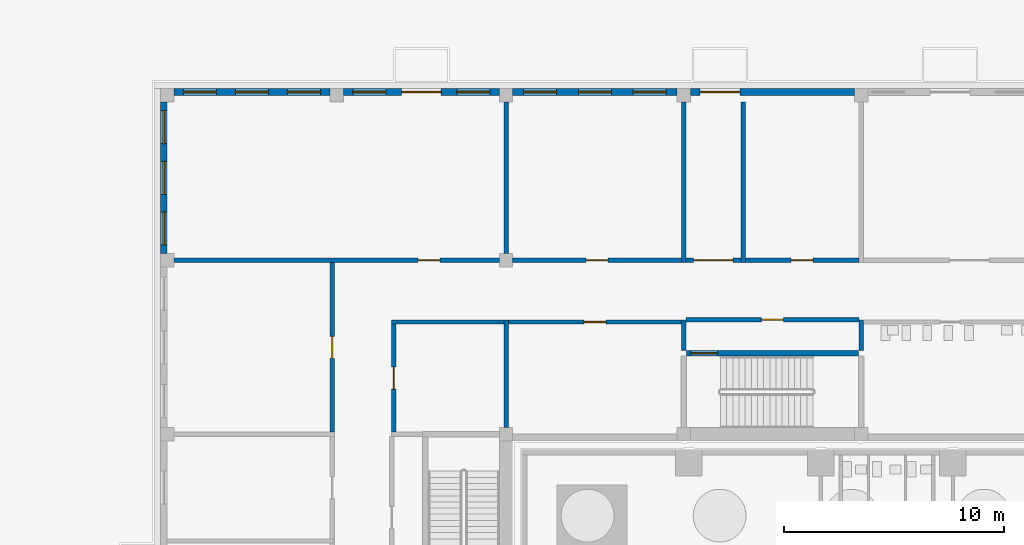
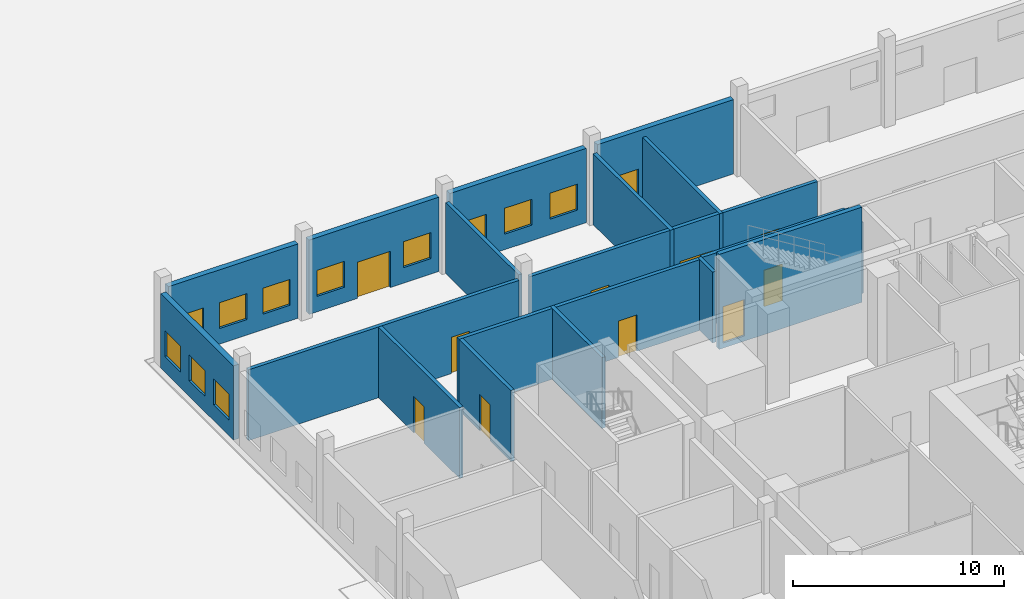
# One storey, part 19 of 33: 21 walls, 11 doors, 11 windows, 22 openings.
"""IFC4 building model written with IfcOpenShell, lengths in metres."""

from ifc_helpers import new_model, si_unit, direction, frame, frame_2d, origin, place, context, subcontext, project, spatial, rectangle, extrude, material, layer, layer_set, type_object, element, fill, save


model = new_model("IFC4")

# Units and contexts
model_context = context("Model", 3, precision=1e-05, world=origin(), true_north=direction((0.0, 1.0)))
body_context = subcontext(model_context, "Body", "Model", "MODEL_VIEW")
ifc_project = project(units=[si_unit("LENGTHUNIT", "METRE"), si_unit("AREAUNIT", "SQUARE_METRE"), si_unit("VOLUMEUNIT", "CUBIC_METRE"), si_unit("PLANEANGLEUNIT", "RADIAN"), si_unit("MASSUNIT", "GRAM", prefix="KILO")], contexts=[model_context])

# Site, building, storey
site_placement = place(None, origin())
site = spatial("IfcSite", under=ifc_project, at=site_placement, CompositionType="ELEMENT")
building_placement = place(site_placement, origin())
building = spatial("IfcBuilding", under=site, at=building_placement, Name="Amberfall Residences", CompositionType="ELEMENT")
storey_placement = place(building_placement, origin())
storey = spatial("IfcBuildingStorey", under=building, at=storey_placement, Name="L00", CompositionType="ELEMENT", Elevation=0.0)

# Wall, openings, windows
ifc_material_1 = material(Name="Aerated block wall")
ifc_layer_1 = layer(ifc_material_1, 0.300048828125)
ifc_layer_set_1 = layer_set([ifc_layer_1], Name="School external wall 300")
wall_type_1 = type_object("IfcWallType", Name="School external wall 300", PredefinedType="SOLIDWALL", material=ifc_layer_set_1)
wall_1_placement = place(storey_placement, frame((35.75, 76.89990234375, 0.0), z_axis=(0.0, 0.0, 1.0), x_axis=(0.0, 1.0, 0.0)))
wall_1 = element("IfcWall", 1, at=wall_1_placement, inside=storey, type_object=wall_type_1, Name="School external wall L00 EW9", PredefinedType="SOLIDWALL", context=body_context, shape_type="SweptSolid", body=[
    extrude(rectangle(XDim=6.900146484375, YDim=0.300048828125, at=frame_2d((3.4501953125, 0.0))), origin(), (0.0, 0.0, 1.0), 4.300048828125),
])
opening_1_placement = place(wall_1_placement, frame((0.39990234375, 0.0, 0.89990234375)))
opening_1 = element("IfcOpeningElement", 2, at=opening_1_placement, cuts=wall_1, Name="Opening SWN1", PredefinedType="OPENING", context=body_context, shape_type="SweptSolid", body=[
    extrude(rectangle(XDim=1.5, YDim=1.5, at=frame_2d((0.75, 0.75))), frame((0.0, 0.159912109375, 0.0), z_axis=(0.0, -1.0, 0.0), x_axis=(1.0, 0.0, 0.0)), (0.0, 0.0, 1.0), 0.320068359375),
])
opening_2_placement = place(wall_1_placement, frame((2.699951171875, 0.0, 0.89990234375)))
opening_2 = element("IfcOpeningElement", 3, at=opening_2_placement, cuts=wall_1, Name="Opening SWN1", PredefinedType="OPENING", context=body_context, shape_type="SweptSolid", body=[
    extrude(rectangle(XDim=1.5, YDim=1.5, at=frame_2d((0.75, 0.75))), frame((0.0, 0.159912109375, 0.0), z_axis=(0.0, -1.0, 0.0), x_axis=(1.0, 0.0, 0.0)), (0.0, 0.0, 1.0), 0.320068359375),
])
opening_3_placement = place(wall_1_placement, frame((5.0, 0.0, 0.89990234375)))
opening_3 = element("IfcOpeningElement", 4, at=opening_3_placement, cuts=wall_1, Name="Opening SWN1", PredefinedType="OPENING", context=body_context, shape_type="SweptSolid", body=[
    extrude(rectangle(XDim=1.5, YDim=1.5, at=frame_2d((0.75, 0.75))), frame((0.0, 0.159912109375, 0.0), z_axis=(0.0, -1.0, 0.0), x_axis=(1.0, 0.0, 0.0)), (0.0, 0.0, 1.0), 0.320068359375),
])
ifc_material_2 = material(Name="Aluminium window", Category="aluminium")
window_type = type_object("IfcWindowType", Name="School window 1500 x 1500", PartitioningType="DOUBLE_PANEL_HORIZONTAL", PredefinedType="WINDOW", material=ifc_material_2)
window_1_placement = place(opening_1_placement, origin())
window_1 = element("IfcWindow", 5, at=window_1_placement, inside=storey, type_object=window_type, Name="School window L00 EW9-1", OverallHeight=1.5, OverallWidth=1.5, PartitioningType="DOUBLE_PANEL_HORIZONTAL", PredefinedType="WINDOW", context=body_context, shape_type="SweptSolid", body=[
    extrude(rectangle(XDim=1.5, YDim=1.5, at=frame_2d((0.75, 0.75))), frame((0.0, 0.030029296875, 0.0), z_axis=(0.0, -1.0, 0.0), x_axis=(1.0, 0.0, 0.0)), (0.0, 0.0, 1.0), 0.06005859375),
])
fill(opening_1, window_1)
window_2_placement = place(opening_2_placement, origin())
window_2 = element("IfcWindow", 6, at=window_2_placement, inside=storey, type_object=window_type, Name="School window L00 EW9-2", OverallHeight=1.5, OverallWidth=1.5, PartitioningType="DOUBLE_PANEL_HORIZONTAL", PredefinedType="WINDOW", context=body_context, shape_type="SweptSolid", body=[
    extrude(rectangle(XDim=1.5, YDim=1.5, at=frame_2d((0.75, 0.75))), frame((0.0, 0.030029296875, 0.0), z_axis=(0.0, -1.0, 0.0), x_axis=(1.0, 0.0, 0.0)), (0.0, 0.0, 1.0), 0.06005859375),
])
fill(opening_2, window_2)
window_3_placement = place(opening_3_placement, origin())
window_3 = element("IfcWindow", 7, at=window_3_placement, inside=storey, type_object=window_type, Name="School window L00 EW9-3", OverallHeight=1.5, OverallWidth=1.5, PartitioningType="DOUBLE_PANEL_HORIZONTAL", PredefinedType="WINDOW", context=body_context, shape_type="SweptSolid", body=[
    extrude(rectangle(XDim=1.5, YDim=1.5, at=frame_2d((0.75, 0.75))), frame((0.0, 0.030029296875, 0.0), z_axis=(0.0, -1.0, 0.0), x_axis=(1.0, 0.0, 0.0)), (0.0, 0.0, 1.0), 0.06005859375),
])
fill(opening_3, window_3)

wall_2_placement = place(storey_placement, frame((36.199951171875, 84.25, 0.0), z_axis=(0.0, 0.0, 1.0), x_axis=(1.0, 0.0, 0.0)))
wall_2 = element("IfcWall", 8, at=wall_2_placement, inside=storey, type_object=wall_type_1, Name="School external wall L00 EN0", PredefinedType="SOLIDWALL", context=body_context, shape_type="SweptSolid", body=[
    extrude(rectangle(XDim=7.10009765625, YDim=0.300048828125, at=frame_2d((3.550048828125, 0.0))), origin(), (0.0, 0.0, 1.0), 4.300048828125),
])
opening_4_placement = place(wall_2_placement, frame((0.433349609375, 0.0, 0.89990234375)))
opening_4 = element("IfcOpeningElement", 9, at=opening_4_placement, cuts=wall_2, Name="Opening SWN1", PredefinedType="OPENING", context=body_context, shape_type="SweptSolid", body=[
    extrude(rectangle(XDim=1.5, YDim=1.5, at=frame_2d((0.75, 0.75))), frame((0.0, 0.159912109375, 0.0), z_axis=(0.0, -1.0, 0.0), x_axis=(1.0, 0.0, 0.0)), (0.0, 0.0, 1.0), 0.320068359375),
])
opening_5_placement = place(wall_2_placement, frame((2.800048828125, 0.0, 0.89990234375)))
opening_5 = element("IfcOpeningElement", 10, at=opening_5_placement, cuts=wall_2, Name="Opening SWN1", PredefinedType="OPENING", context=body_context, shape_type="SweptSolid", body=[
    extrude(rectangle(XDim=1.5, YDim=1.5, at=frame_2d((0.75, 0.75))), frame((0.0, 0.159912109375, 0.0), z_axis=(0.0, -1.0, 0.0), x_axis=(1.0, 0.0, 0.0)), (0.0, 0.0, 1.0), 0.320068359375),
])
opening_6_placement = place(wall_2_placement, frame((5.166748046875, 0.0, 0.89990234375)))
opening_6 = element("IfcOpeningElement", 11, at=opening_6_placement, cuts=wall_2, Name="Opening SWN1", PredefinedType="OPENING", context=body_context, shape_type="SweptSolid", body=[
    extrude(rectangle(XDim=1.5, YDim=1.5, at=frame_2d((0.75, 0.75))), frame((0.0, 0.159912109375, 0.0), z_axis=(0.0, -1.0, 0.0), x_axis=(1.0, 0.0, 0.0)), (0.0, 0.0, 1.0), 0.320068359375),
])
window_4_placement = place(opening_4_placement, origin())
window_4 = element("IfcWindow", 12, at=window_4_placement, inside=storey, type_object=window_type, Name="School window L00 EN0-1", OverallHeight=1.5, OverallWidth=1.5, PartitioningType="DOUBLE_PANEL_HORIZONTAL", PredefinedType="WINDOW", context=body_context, shape_type="SweptSolid", body=[
    extrude(rectangle(XDim=1.5, YDim=1.5, at=frame_2d((0.75, 0.75))), frame((0.0, 0.030029296875, 0.0), z_axis=(0.0, -1.0, 0.0), x_axis=(1.0, 0.0, 0.0)), (0.0, 0.0, 1.0), 0.06005859375),
])
fill(opening_4, window_4)
window_5_placement = place(opening_5_placement, origin())
window_5 = element("IfcWindow", 13, at=window_5_placement, inside=storey, type_object=window_type, Name="School window L00 EN0-2", OverallHeight=1.5, OverallWidth=1.5, PartitioningType="DOUBLE_PANEL_HORIZONTAL", PredefinedType="WINDOW", context=body_context, shape_type="SweptSolid", body=[
    extrude(rectangle(XDim=1.5, YDim=1.5, at=frame_2d((0.75, 0.75))), frame((0.0, 0.030029296875, 0.0), z_axis=(0.0, -1.0, 0.0), x_axis=(1.0, 0.0, 0.0)), (0.0, 0.0, 1.0), 0.06005859375),
])
fill(opening_5, window_5)
window_6_placement = place(opening_6_placement, origin())
window_6 = element("IfcWindow", 14, at=window_6_placement, inside=storey, type_object=window_type, Name="School window L00 EN0-3", OverallHeight=1.5, OverallWidth=1.5, PartitioningType="DOUBLE_PANEL_HORIZONTAL", PredefinedType="WINDOW", context=body_context, shape_type="SweptSolid", body=[
    extrude(rectangle(XDim=1.5, YDim=1.5, at=frame_2d((0.75, 0.75))), frame((0.0, 0.030029296875, 0.0), z_axis=(0.0, -1.0, 0.0), x_axis=(1.0, 0.0, 0.0)), (0.0, 0.0, 1.0), 0.06005859375),
])
fill(opening_6, window_6)

# Wall, openings, door, windows
wall_3_placement = place(storey_placement, frame((43.89990234375, 84.25, 0.0), z_axis=(0.0, 0.0, 1.0), x_axis=(1.0, 0.0, 0.0)))
wall_3 = element("IfcWall", 15, at=wall_3_placement, inside=storey, type_object=wall_type_1, Name="School external wall L00 EN1", PredefinedType="SOLIDWALL", context=body_context, shape_type="SweptSolid", body=[
    extrude(rectangle(XDim=7.10009765625, YDim=0.300048828125, at=frame_2d((3.550048828125, 0.0))), origin(), (0.0, 0.0, 1.0), 4.300048828125),
])
opening_7_placement = place(wall_3_placement, frame((2.64990234375, 0.0, 0.0)))
opening_7 = element("IfcOpeningElement", 16, at=opening_7_placement, cuts=wall_3, Name="Opening SD3", PredefinedType="OPENING", context=body_context, shape_type="SweptSolid", body=[
    extrude(rectangle(XDim=1.800048828125, YDim=2.10009765625, at=frame_2d((0.89990234375, 1.050048828125))), frame((0.0, 0.159912109375, 0.0), z_axis=(0.0, -1.0, 0.0), x_axis=(1.0, 0.0, 0.0)), (0.0, 0.0, 1.0), 0.320068359375),
])
opening_8_placement = place(wall_3_placement, frame((0.433349609375, 0.0, 0.89990234375)))
opening_8 = element("IfcOpeningElement", 17, at=opening_8_placement, cuts=wall_3, Name="Opening SWN1", PredefinedType="OPENING", context=body_context, shape_type="SweptSolid", body=[
    extrude(rectangle(XDim=1.5, YDim=1.5, at=frame_2d((0.75, 0.75))), frame((0.0, 0.159912109375, 0.0), z_axis=(0.0, -1.0, 0.0), x_axis=(1.0, 0.0, 0.0)), (0.0, 0.0, 1.0), 0.320068359375),
])
opening_9_placement = place(wall_3_placement, frame((5.166748046875, 0.0, 0.89990234375)))
opening_9 = element("IfcOpeningElement", 18, at=opening_9_placement, cuts=wall_3, Name="Opening SWN1", PredefinedType="OPENING", context=body_context, shape_type="SweptSolid", body=[
    extrude(rectangle(XDim=1.5, YDim=1.5, at=frame_2d((0.75, 0.75))), frame((0.0, 0.159912109375, 0.0), z_axis=(0.0, -1.0, 0.0), x_axis=(1.0, 0.0, 0.0)), (0.0, 0.0, 1.0), 0.320068359375),
])
ifc_material_3 = material(Name="Timber door", Category="wood")
door_type_1 = type_object("IfcDoorType", Name="School double door 1800 x 2100", OperationType="DOUBLE_DOOR_SINGLE_SWING", PredefinedType="DOOR", material=ifc_material_3)
door_1_placement = place(opening_7_placement, origin())
door_1 = element("IfcDoor", 19, at=door_1_placement, inside=storey, type_object=door_type_1, Name="School door L00 EN1-1", OperationType="DOUBLE_DOOR_SINGLE_SWING", OverallHeight=2.10009765625, OverallWidth=1.800048828125, PredefinedType="DOOR", context=body_context, shape_type="SweptSolid", body=[
    extrude(rectangle(XDim=1.800048828125, YDim=2.10009765625, at=frame_2d((0.89990234375, 1.050048828125))), frame((0.0, 0.02490234375, 0.0), z_axis=(0.0, -1.0, 0.0), x_axis=(1.0, 0.0, 0.0)), (0.0, 0.0, 1.0), 0.050048828125),
])
fill(opening_7, door_1)
window_7_placement = place(opening_8_placement, origin())
window_7 = element("IfcWindow", 20, at=window_7_placement, inside=storey, type_object=window_type, Name="School window L00 EN1-1", OverallHeight=1.5, OverallWidth=1.5, PartitioningType="DOUBLE_PANEL_HORIZONTAL", PredefinedType="WINDOW", context=body_context, shape_type="SweptSolid", body=[
    extrude(rectangle(XDim=1.5, YDim=1.5, at=frame_2d((0.75, 0.75))), frame((0.0, 0.030029296875, 0.0), z_axis=(0.0, -1.0, 0.0), x_axis=(1.0, 0.0, 0.0)), (0.0, 0.0, 1.0), 0.06005859375),
])
fill(opening_8, window_7)
window_8_placement = place(opening_9_placement, origin())
window_8 = element("IfcWindow", 21, at=window_8_placement, inside=storey, type_object=window_type, Name="School window L00 EN1-2", OverallHeight=1.5, OverallWidth=1.5, PartitioningType="DOUBLE_PANEL_HORIZONTAL", PredefinedType="WINDOW", context=body_context, shape_type="SweptSolid", body=[
    extrude(rectangle(XDim=1.5, YDim=1.5, at=frame_2d((0.75, 0.75))), frame((0.0, 0.030029296875, 0.0), z_axis=(0.0, -1.0, 0.0), x_axis=(1.0, 0.0, 0.0)), (0.0, 0.0, 1.0), 0.06005859375),
])
fill(opening_9, window_8)

# Wall, openings, windows
wall_4_placement = place(storey_placement, frame((51.60009765625, 84.25, 0.0), z_axis=(0.0, 0.0, 1.0), x_axis=(1.0, 0.0, 0.0)))
wall_4 = element("IfcWall", 22, at=wall_4_placement, inside=storey, type_object=wall_type_1, Name="School external wall L00 EN2", PredefinedType="SOLIDWALL", context=body_context, shape_type="SweptSolid", body=[
    extrude(rectangle(XDim=7.466796875, YDim=0.300048828125, at=frame_2d((3.7333984375, 0.0))), origin(), (0.0, 0.0, 1.0), 4.300048828125),
])
opening_10_placement = place(wall_4_placement, frame((0.494384765625, 0.0, 0.89990234375)))
opening_10 = element("IfcOpeningElement", 23, at=opening_10_placement, cuts=wall_4, Name="Opening SWN1", PredefinedType="OPENING", context=body_context, shape_type="SweptSolid", body=[
    extrude(rectangle(XDim=1.5, YDim=1.5, at=frame_2d((0.75, 0.75))), frame((0.0, 0.159912109375, 0.0), z_axis=(0.0, -1.0, 0.0), x_axis=(1.0, 0.0, 0.0)), (0.0, 0.0, 1.0), 0.320068359375),
])
opening_11_placement = place(wall_4_placement, frame((2.9833984375, 0.0, 0.89990234375)))
opening_11 = element("IfcOpeningElement", 24, at=opening_11_placement, cuts=wall_4, Name="Opening SWN1", PredefinedType="OPENING", context=body_context, shape_type="SweptSolid", body=[
    extrude(rectangle(XDim=1.5, YDim=1.5, at=frame_2d((0.75, 0.75))), frame((0.0, 0.159912109375, 0.0), z_axis=(0.0, -1.0, 0.0), x_axis=(1.0, 0.0, 0.0)), (0.0, 0.0, 1.0), 0.320068359375),
])
opening_12_placement = place(wall_4_placement, frame((5.472412109375, 0.0, 0.89990234375)))
opening_12 = element("IfcOpeningElement", 25, at=opening_12_placement, cuts=wall_4, Name="Opening SWN1", PredefinedType="OPENING", context=body_context, shape_type="SweptSolid", body=[
    extrude(rectangle(XDim=1.5, YDim=1.5, at=frame_2d((0.75, 0.75))), frame((0.0, 0.159912109375, 0.0), z_axis=(0.0, -1.0, 0.0), x_axis=(1.0, 0.0, 0.0)), (0.0, 0.0, 1.0), 0.320068359375),
])
window_9_placement = place(opening_10_placement, origin())
window_9 = element("IfcWindow", 26, at=window_9_placement, inside=storey, type_object=window_type, Name="School window L00 EN2-1", OverallHeight=1.5, OverallWidth=1.5, PartitioningType="DOUBLE_PANEL_HORIZONTAL", PredefinedType="WINDOW", context=body_context, shape_type="SweptSolid", body=[
    extrude(rectangle(XDim=1.5, YDim=1.5, at=frame_2d((0.75, 0.75))), frame((0.0, 0.030029296875, 0.0), z_axis=(0.0, -1.0, 0.0), x_axis=(1.0, 0.0, 0.0)), (0.0, 0.0, 1.0), 0.06005859375),
])
fill(opening_10, window_9)
window_10_placement = place(opening_11_placement, origin())
window_10 = element("IfcWindow", 27, at=window_10_placement, inside=storey, type_object=window_type, Name="School window L00 EN2-2", OverallHeight=1.5, OverallWidth=1.5, PartitioningType="DOUBLE_PANEL_HORIZONTAL", PredefinedType="WINDOW", context=body_context, shape_type="SweptSolid", body=[
    extrude(rectangle(XDim=1.5, YDim=1.5, at=frame_2d((0.75, 0.75))), frame((0.0, 0.030029296875, 0.0), z_axis=(0.0, -1.0, 0.0), x_axis=(1.0, 0.0, 0.0)), (0.0, 0.0, 1.0), 0.06005859375),
])
fill(opening_11, window_10)
window_11_placement = place(opening_12_placement, origin())
window_11 = element("IfcWindow", 28, at=window_11_placement, inside=storey, type_object=window_type, Name="School window L00 EN2-3", OverallHeight=1.5, OverallWidth=1.5, PartitioningType="DOUBLE_PANEL_HORIZONTAL", PredefinedType="WINDOW", context=body_context, shape_type="SweptSolid", body=[
    extrude(rectangle(XDim=1.5, YDim=1.5, at=frame_2d((0.75, 0.75))), frame((0.0, 0.030029296875, 0.0), z_axis=(0.0, -1.0, 0.0), x_axis=(1.0, 0.0, 0.0)), (0.0, 0.0, 1.0), 0.06005859375),
])
fill(opening_12, window_11)

# Wall, opening, door
wall_5_placement = place(storey_placement, frame((59.6669921875, 84.25, 0.0), z_axis=(0.0, 0.0, 1.0), x_axis=(1.0, 0.0, 0.0)))
wall_5 = element("IfcWall", 29, at=wall_5_placement, inside=storey, type_object=wall_type_1, Name="School external wall L00 EN3", PredefinedType="SOLIDWALL", context=body_context, shape_type="SweptSolid", body=[
    extrude(rectangle(XDim=7.466064453125, YDim=0.300048828125, at=frame_2d((3.73291015625, 0.0))), origin(), (0.0, 0.0, 1.0), 4.300048828125),
])
opening_13_placement = place(wall_5_placement, frame((0.449951171875, 0.0, 0.0)))
opening_13 = element("IfcOpeningElement", 30, at=opening_13_placement, cuts=wall_5, Name="Opening SD3", PredefinedType="OPENING", context=body_context, shape_type="SweptSolid", body=[
    extrude(rectangle(XDim=1.800048828125, YDim=2.10009765625, at=frame_2d((0.89990234375, 1.050048828125))), frame((0.0, 0.159912109375, 0.0), z_axis=(0.0, -1.0, 0.0), x_axis=(1.0, 0.0, 0.0)), (0.0, 0.0, 1.0), 0.320068359375),
])
door_2_placement = place(opening_13_placement, origin())
door_2 = element("IfcDoor", 31, at=door_2_placement, inside=storey, type_object=door_type_1, Name="School door L00 EN3-1", OperationType="DOUBLE_DOOR_SINGLE_SWING", OverallHeight=2.10009765625, OverallWidth=1.800048828125, PredefinedType="DOOR", context=body_context, shape_type="SweptSolid", body=[
    extrude(rectangle(XDim=1.800048828125, YDim=2.10009765625, at=frame_2d((0.89990234375, 1.050048828125))), frame((0.0, 0.02490234375, 0.0), z_axis=(0.0, -1.0, 0.0), x_axis=(1.0, 0.0, 0.0)), (0.0, 0.0, 1.0), 0.050048828125),
])
fill(opening_13, door_2)

ifc_layer_2 = layer(ifc_material_1, 0.199951171875)
ifc_layer_set_2 = layer_set([ifc_layer_2], Name="School partition 200")
wall_type_2 = type_object("IfcWallType", Name="School partition 200", PredefinedType="PARTITIONING", material=ifc_layer_set_2)
wall_6_placement = place(storey_placement, frame((43.39990234375, 68.800048828125, 0.0), z_axis=(0.0, 0.0, 1.0), x_axis=(0.0, 1.0, 0.0)))
wall_6 = element("IfcWall", 32, at=wall_6_placement, inside=storey, type_object=wall_type_2, Name="School partition L00 CWW8", PredefinedType="PARTITIONING", context=body_context, shape_type="SweptSolid", body=[
    extrude(rectangle(XDim=7.699951171875, YDim=0.199951171875, at=frame_2d((3.85009765625, 0.0))), origin(), (0.0, 0.0, 1.0), 4.10009765625),
])
opening_14_placement = place(wall_6_placement, frame((3.35009765625, 0.0, 0.0)))
opening_14 = element("IfcOpeningElement", 33, at=opening_14_placement, cuts=wall_6, Name="Opening SD5", PredefinedType="OPENING", context=body_context, shape_type="SweptSolid", body=[
    extrude(rectangle(XDim=1.0, YDim=2.10009765625, at=frame_2d((0.5, 1.050048828125))), frame((0.0, 0.10986328125, 0.0), z_axis=(0.0, -1.0, 0.0), x_axis=(1.0, 0.0, 0.0)), (0.0, 0.0, 1.0), 0.219970703125),
])
door_type_2 = type_object("IfcDoorType", Name="School classroom door 1000 x 2100", OperationType="SINGLE_SWING_LEFT", PredefinedType="DOOR", material=ifc_material_3)
door_3_placement = place(opening_14_placement, origin())
door_3 = element("IfcDoor", 34, at=door_3_placement, inside=storey, type_object=door_type_2, Name="School door L00 CWW8-1", OperationType="SINGLE_SWING_LEFT", OverallHeight=2.10009765625, OverallWidth=1.0, PredefinedType="DOOR", context=body_context, shape_type="SweptSolid", body=[
    extrude(rectangle(XDim=1.0, YDim=2.10009765625, at=frame_2d((0.5, 1.050048828125))), frame((0.0, 0.02490234375, 0.0), z_axis=(0.0, -1.0, 0.0), x_axis=(1.0, 0.0, 0.0)), (0.0, 0.0, 1.0), 0.050048828125),
])
fill(opening_14, door_3)

wall_7_placement = place(storey_placement, frame((36.199951171875, 76.60009765625, 0.0), z_axis=(0.0, 0.0, 1.0), x_axis=(1.0, 0.0, 0.0)))
wall_7 = element("IfcWall", 35, at=wall_7_placement, inside=storey, type_object=wall_type_2, Name="School partition L00 LIBS", PredefinedType="PARTITIONING", context=body_context, shape_type="SweptSolid", body=[
    extrude(rectangle(XDim=14.800048828125, YDim=0.199951171875, at=frame_2d((7.39990234375, 0.0))), origin(), (0.0, 0.0, 1.0), 4.10009765625),
])
opening_15_placement = place(wall_7_placement, frame((11.10009765625, 0.0, 0.0)))
opening_15 = element("IfcOpeningElement", 36, at=opening_15_placement, cuts=wall_7, Name="Opening SD5", PredefinedType="OPENING", context=body_context, shape_type="SweptSolid", body=[
    extrude(rectangle(XDim=1.0, YDim=2.10009765625, at=frame_2d((0.5, 1.050048828125))), frame((0.0, 0.10986328125, 0.0), z_axis=(0.0, -1.0, 0.0), x_axis=(1.0, 0.0, 0.0)), (0.0, 0.0, 1.0), 0.219970703125),
])
door_4_placement = place(opening_15_placement, origin())
door_4 = element("IfcDoor", 37, at=door_4_placement, inside=storey, type_object=door_type_2, Name="School door L00 LIBS-1", OperationType="SINGLE_SWING_LEFT", OverallHeight=2.10009765625, OverallWidth=1.0, PredefinedType="DOOR", context=body_context, shape_type="SweptSolid", body=[
    extrude(rectangle(XDim=1.0, YDim=2.10009765625, at=frame_2d((0.5, 1.050048828125))), frame((0.0, 0.02490234375, 0.0), z_axis=(0.0, -1.0, 0.0), x_axis=(1.0, 0.0, 0.0)), (0.0, 0.0, 1.0), 0.050048828125),
])
fill(opening_15, door_4)

# Wall
wall_8_placement = place(storey_placement, frame((51.300048828125, 76.89990234375, 0.0), z_axis=(0.0, 0.0, 1.0), x_axis=(0.0, 1.0, 0.0)))
element("IfcWall", 38, at=wall_8_placement, inside=storey, type_object=wall_type_2, Name="School partition L00 LIBE", PredefinedType="PARTITIONING", context=body_context, shape_type="SweptSolid", body=[
    extrude(rectangle(XDim=6.900146484375, YDim=0.199951171875, at=frame_2d((3.4501953125, 0.0))), origin(), (0.0, 0.0, 1.0), 4.10009765625),
])

# Wall, opening, door
wall_9_placement = place(storey_placement, frame((46.199951171875, 68.800048828125, 0.0), z_axis=(0.0, 0.0, 1.0), x_axis=(0.0, 1.0, 0.0)))
wall_9 = element("IfcWall", 39, at=wall_9_placement, inside=storey, type_object=wall_type_2, Name="School partition L00 CWE869", PredefinedType="PARTITIONING", context=body_context, shape_type="SweptSolid", body=[
    extrude(rectangle(XDim=4.89990234375, YDim=0.199951171875, at=frame_2d((2.449951171875, 0.0))), origin(), (0.0, 0.0, 1.0), 4.10009765625),
])
opening_16_placement = place(wall_9_placement, frame((1.949951171875, 0.0, 0.0)))
opening_16 = element("IfcOpeningElement", 40, at=opening_16_placement, cuts=wall_9, Name="Opening SD5", PredefinedType="OPENING", context=body_context, shape_type="SweptSolid", body=[
    extrude(rectangle(XDim=1.0, YDim=2.10009765625, at=frame_2d((0.5, 1.050048828125))), frame((0.0, 0.10986328125, 0.0), z_axis=(0.0, -1.0, 0.0), x_axis=(1.0, 0.0, 0.0)), (0.0, 0.0, 1.0), 0.219970703125),
])
door_5_placement = place(opening_16_placement, origin())
door_5 = element("IfcDoor", 41, at=door_5_placement, inside=storey, type_object=door_type_2, Name="School door L00 CWE869-1", OperationType="SINGLE_SWING_LEFT", OverallHeight=2.10009765625, OverallWidth=1.0, PredefinedType="DOOR", context=body_context, shape_type="SweptSolid", body=[
    extrude(rectangle(XDim=1.0, YDim=2.10009765625, at=frame_2d((0.5, 1.050048828125))), frame((0.0, 0.02490234375, 0.0), z_axis=(0.0, -1.0, 0.0), x_axis=(1.0, 0.0, 0.0)), (0.0, 0.0, 1.0), 0.050048828125),
])
fill(opening_16, door_5)

wall_10_placement = place(storey_placement, frame((51.60009765625, 76.60009765625, 0.0), z_axis=(0.0, 0.0, 1.0), x_axis=(1.0, 0.0, 0.0)))
wall_10 = element("IfcWall", 42, at=wall_10_placement, inside=storey, type_object=wall_type_2, Name="School partition L00 CWN052", PredefinedType="PARTITIONING", context=body_context, shape_type="SweptSolid", body=[
    extrude(rectangle(XDim=7.6669921875, YDim=0.199951171875, at=frame_2d((3.83349609375, 0.0))), origin(), (0.0, 0.0, 1.0), 4.10009765625),
])
opening_17_placement = place(wall_10_placement, frame((3.33349609375, 0.0, 0.0)))
opening_17 = element("IfcOpeningElement", 43, at=opening_17_placement, cuts=wall_10, Name="Opening SD5", PredefinedType="OPENING", context=body_context, shape_type="SweptSolid", body=[
    extrude(rectangle(XDim=1.0, YDim=2.10009765625, at=frame_2d((0.5, 1.050048828125))), frame((0.0, 0.10986328125, 0.0), z_axis=(0.0, -1.0, 0.0), x_axis=(1.0, 0.0, 0.0)), (0.0, 0.0, 1.0), 0.219970703125),
])
door_6_placement = place(opening_17_placement, origin())
door_6 = element("IfcDoor", 44, at=door_6_placement, inside=storey, type_object=door_type_2, Name="School door L00 CWN052-1", OperationType="SINGLE_SWING_LEFT", OverallHeight=2.10009765625, OverallWidth=1.0, PredefinedType="DOOR", context=body_context, shape_type="SweptSolid", body=[
    extrude(rectangle(XDim=1.0, YDim=2.10009765625, at=frame_2d((0.5, 1.050048828125))), frame((0.0, 0.02490234375, 0.0), z_axis=(0.0, -1.0, 0.0), x_axis=(1.0, 0.0, 0.0)), (0.0, 0.0, 1.0), 0.050048828125),
])
fill(opening_17, door_6)

wall_11_placement = place(storey_placement, frame((62.1669921875, 76.60009765625, 0.0), z_axis=(0.0, 0.0, 1.0), x_axis=(1.0, 0.0, 0.0)))
wall_11 = element("IfcWall", 45, at=wall_11_placement, inside=storey, type_object=wall_type_2, Name="School partition L00 CWN162", PredefinedType="PARTITIONING", context=body_context, shape_type="SweptSolid", body=[
    extrude(rectangle(XDim=5.166015625, YDim=0.199951171875, at=frame_2d((2.5830078125, 0.0))), origin(), (0.0, 0.0, 1.0), 4.10009765625),
])
opening_18_placement = place(wall_11_placement, frame((2.0830078125, 0.0, 0.0)))
opening_18 = element("IfcOpeningElement", 46, at=opening_18_placement, cuts=wall_11, Name="Opening SD5", PredefinedType="OPENING", context=body_context, shape_type="SweptSolid", body=[
    extrude(rectangle(XDim=1.0, YDim=2.10009765625, at=frame_2d((0.5, 1.050048828125))), frame((0.0, 0.10986328125, 0.0), z_axis=(0.0, -1.0, 0.0), x_axis=(1.0, 0.0, 0.0)), (0.0, 0.0, 1.0), 0.219970703125),
])
door_7_placement = place(opening_18_placement, origin())
door_7 = element("IfcDoor", 47, at=door_7_placement, inside=storey, type_object=door_type_2, Name="School door L00 CWN162-1", OperationType="SINGLE_SWING_LEFT", OverallHeight=2.10009765625, OverallWidth=1.0, PredefinedType="DOOR", context=body_context, shape_type="SweptSolid", body=[
    extrude(rectangle(XDim=1.0, YDim=2.10009765625, at=frame_2d((0.5, 1.050048828125))), frame((0.0, 0.02490234375, 0.0), z_axis=(0.0, -1.0, 0.0), x_axis=(1.0, 0.0, 0.0)), (0.0, 0.0, 1.0), 0.050048828125),
])
fill(opening_18, door_7)

# Walls
for number, where, z_axis, x_axis, name in (
    (48, (59.366943359375, 76.5, 0.0), (0.0, 0.0, 1.0), (0.0, 1.0, 0.0), "School partition L00 PN5937"),
    (49, (62.06689453125, 76.5, 0.0), (0.0, 0.0, 1.0), (0.0, 1.0, 0.0), "School partition L00 PN6207"),
):
    element("IfcWall", number, at=place(storey_placement, frame(where, z_axis=z_axis, x_axis=x_axis)), inside=storey, type_object=wall_type_2, Name=name, PredefinedType="PARTITIONING", context=body_context, shape_type="SweptSolid", body=[
        extrude(rectangle(XDim=7.300048828125, YDim=0.199951171875, at=frame_2d((3.64990234375, 0.0))), origin(), (0.0, 0.0, 1.0), 4.10009765625),
    ])

# Wall, opening, door
wall_12_placement = place(storey_placement, frame((51.39990234375, 73.800048828125, 0.0), z_axis=(0.0, 0.0, 1.0), x_axis=(1.0, 0.0, 0.0)))
wall_12 = element("IfcWall", 50, at=wall_12_placement, inside=storey, type_object=wall_type_2, Name="School partition L00 CWS51", PredefinedType="PARTITIONING", context=body_context, shape_type="SweptSolid", body=[
    extrude(rectangle(XDim=7.8671875, YDim=0.199951171875, at=frame_2d((3.93359375, 0.0))), origin(), (0.0, 0.0, 1.0), 4.10009765625),
])
opening_19_placement = place(wall_12_placement, frame((3.43359375, 0.0, 0.0)))
opening_19 = element("IfcOpeningElement", 51, at=opening_19_placement, cuts=wall_12, Name="Opening SD5", PredefinedType="OPENING", context=body_context, shape_type="SweptSolid", body=[
    extrude(rectangle(XDim=1.0, YDim=2.10009765625, at=frame_2d((0.5, 1.050048828125))), frame((0.0, 0.10986328125, 0.0), z_axis=(0.0, -1.0, 0.0), x_axis=(1.0, 0.0, 0.0)), (0.0, 0.0, 1.0), 0.219970703125),
])
door_8_placement = place(opening_19_placement, origin())
door_8 = element("IfcDoor", 52, at=door_8_placement, inside=storey, type_object=door_type_2, Name="School door L00 CWS51-1", OperationType="SINGLE_SWING_LEFT", OverallHeight=2.10009765625, OverallWidth=1.0, PredefinedType="DOOR", context=body_context, shape_type="SweptSolid", body=[
    extrude(rectangle(XDim=1.0, YDim=2.10009765625, at=frame_2d((0.5, 1.050048828125))), frame((0.0, 0.02490234375, 0.0), z_axis=(0.0, -1.0, 0.0), x_axis=(1.0, 0.0, 0.0)), (0.0, 0.0, 1.0), 0.050048828125),
])
fill(opening_19, door_8)

# Walls
for number, where, z_axis, x_axis, name in (
    (53, (59.366943359375, 72.5, 0.0), (0.0, 0.0, 1.0), (0.0, 1.0, 0.0), "School partition L00 PSA1"),
    (54, (67.43310546875, 72.5, 0.0), (0.0, 0.0, 1.0), (0.0, 1.0, 0.0), "School partition L00 PSA2"),
):
    element("IfcWall", number, at=place(storey_placement, frame(where, z_axis=z_axis, x_axis=x_axis)), inside=storey, type_object=wall_type_2, Name=name, PredefinedType="PARTITIONING", context=body_context, shape_type="SweptSolid", body=[
        extrude(rectangle(XDim=1.39990234375, YDim=0.199951171875, at=frame_2d((0.699951171875, 0.0))), origin(), (0.0, 0.0, 1.0), 4.10009765625),
    ])
wall_13_placement = place(storey_placement, frame((46.10009765625, 73.800048828125, 0.0), z_axis=(0.0, 0.0, 1.0), x_axis=(1.0, 0.0, 0.0)))
element("IfcWall", 55, at=wall_13_placement, inside=storey, type_object=wall_type_2, Name="School partition L00 E8N", PredefinedType="PARTITIONING", context=body_context, shape_type="SweptSolid", body=[
    extrude(rectangle(XDim=5.099853515625, YDim=0.199951171875, at=frame_2d((2.5498046875, 0.0))), origin(), (0.0, 0.0, 1.0), 4.10009765625),
])
wall_14_placement = place(storey_placement, frame((51.300048828125, 69.0, 0.0), z_axis=(0.0, 0.0, 1.0), x_axis=(0.0, 1.0, 0.0)))
element("IfcWall", 56, at=wall_14_placement, inside=storey, type_object=wall_type_2, Name="School partition L00 PES", PredefinedType="PARTITIONING", context=body_context, shape_type="SweptSolid", body=[
    extrude(rectangle(XDim=4.89990234375, YDim=0.199951171875, at=frame_2d((2.449951171875, 0.0))), origin(), (0.0, 0.0, 1.0), 4.10009765625),
])

# Wall, opening, door
wall_15_placement = place(storey_placement, frame((59.467041015625, 73.89990234375, 0.0), z_axis=(0.0, 0.0, 1.0), x_axis=(1.0, 0.0, 0.0)))
wall_15 = element("IfcWall", 57, at=wall_15_placement, inside=storey, type_object=wall_type_2, Name="School partition L00 CWLSS4", PredefinedType="PARTITIONING", context=body_context, shape_type="SweptSolid", body=[
    extrude(rectangle(XDim=7.865966796875, YDim=0.199951171875, at=frame_2d((3.93310546875, 0.0))), origin(), (0.0, 0.0, 1.0), 4.10009765625),
])
opening_20_placement = place(wall_15_placement, frame((3.43310546875, 0.0, 0.0)))
opening_20 = element("IfcOpeningElement", 58, at=opening_20_placement, cuts=wall_15, Name="Opening SD8", PredefinedType="OPENING", context=body_context, shape_type="SweptSolid", body=[
    extrude(rectangle(XDim=1.0, YDim=2.10009765625, at=frame_2d((0.5, 1.050048828125))), frame((0.0, 0.10986328125, 0.0), z_axis=(0.0, -1.0, 0.0), x_axis=(1.0, 0.0, 0.0)), (0.0, 0.0, 1.0), 0.219970703125),
])
door_type_3 = type_object("IfcDoorType", Name="School lobby door 1000 x 2100", OperationType="SINGLE_SWING_LEFT", PredefinedType="DOOR", material=ifc_material_3)
door_9_placement = place(opening_20_placement, origin())
door_9 = element("IfcDoor", 59, at=door_9_placement, inside=storey, type_object=door_type_3, Name="School door L00 CWLSS4-1", OperationType="SINGLE_SWING_LEFT", OverallHeight=2.10009765625, OverallWidth=1.0, PredefinedType="DOOR", context=body_context, shape_type="SweptSolid", body=[
    extrude(rectangle(XDim=1.0, YDim=2.10009765625, at=frame_2d((0.5, 1.050048828125))), frame((0.0, 0.02490234375, 0.0), z_axis=(0.0, -1.0, 0.0), x_axis=(1.0, 0.0, 0.0)), (0.0, 0.0, 1.0), 0.050048828125),
])
fill(opening_20, door_9)

wall_16_placement = place(storey_placement, frame((59.467041015625, 76.60009765625, 0.0), z_axis=(0.0, 0.0, 1.0), x_axis=(1.0, 0.0, 0.0)))
wall_16 = element("IfcWall", 60, at=wall_16_placement, inside=storey, type_object=wall_type_2, Name="School partition L00 CWQ1", PredefinedType="PARTITIONING", context=body_context, shape_type="SweptSolid", body=[
    extrude(rectangle(XDim=2.5, YDim=0.199951171875, at=frame_2d((1.25, 0.0))), origin(), (0.0, 0.0, 1.0), 4.10009765625),
])
opening_21_placement = place(wall_16_placement, frame((0.35009765625, 0.0, 0.0)))
opening_21 = element("IfcOpeningElement", 61, at=opening_21_placement, cuts=wall_16, Name="Opening SD9", PredefinedType="OPENING", context=body_context, shape_type="SweptSolid", body=[
    extrude(rectangle(XDim=1.800048828125, YDim=2.10009765625, at=frame_2d((0.89990234375, 1.050048828125))), frame((0.0, 0.10986328125, 0.0), z_axis=(0.0, -1.0, 0.0), x_axis=(1.0, 0.0, 0.0)), (0.0, 0.0, 1.0), 0.219970703125),
])
ifc_material_4 = material(Name="Timber fire door", Category="wood")
door_type_4 = type_object("IfcDoorType", Name="School fire double door 1800 x 2100", OperationType="DOUBLE_DOOR_SINGLE_SWING", PredefinedType="DOOR", material=ifc_material_4)
door_10_placement = place(opening_21_placement, origin())
door_10 = element("IfcDoor", 62, at=door_10_placement, inside=storey, type_object=door_type_4, Name="School door L00 CWQ1-1", OperationType="DOUBLE_DOOR_SINGLE_SWING", OverallHeight=2.10009765625, OverallWidth=1.800048828125, PredefinedType="DOOR", context=body_context, shape_type="SweptSolid", body=[
    extrude(rectangle(XDim=1.800048828125, YDim=2.10009765625, at=frame_2d((0.89990234375, 1.050048828125))), frame((0.0, 0.02490234375, 0.0), z_axis=(0.0, -1.0, 0.0), x_axis=(1.0, 0.0, 0.0)), (0.0, 0.0, 1.0), 0.050048828125),
])
fill(opening_21, door_10)

ifc_material_5 = material(Name="Concrete C50", Category="concrete")
ifc_layer_3 = layer(ifc_material_5, 0.25)
ifc_layer_set_3 = layer_set([ifc_layer_3], Name="School stair core wall 250 C50")
wall_type_3 = type_object("IfcWallType", Name="School stair core wall 250 C50", PredefinedType="SHEAR", material=ifc_layer_set_3)
wall_17_placement = place(storey_placement, frame((59.491943359375, 72.375, -0.300048828125), z_axis=(0.0, 0.0, 1.0), x_axis=(1.0, 0.0, 0.0)))
wall_17 = element("IfcWall", 63, at=wall_17_placement, inside=storey, type_object=wall_type_3, Name="School core wall L00 SS4N", PredefinedType="SHEAR", context=body_context, shape_type="SweptSolid", body=[
    extrude(rectangle(XDim=7.816162109375, YDim=0.25, at=frame_2d((3.908203125, 0.0))), origin(), (0.0, 0.0, 1.0), 5.5),
])
opening_22_placement = place(wall_17_placement, frame((0.199951171875, 0.0, 0.300048828125)))
opening_22 = element("IfcOpeningElement", 64, at=opening_22_placement, cuts=wall_17, Name="Opening SD4", PredefinedType="OPENING", context=body_context, shape_type="SweptSolid", body=[
    extrude(rectangle(XDim=1.199951171875, YDim=2.10009765625, at=frame_2d((0.60009765625, 1.050048828125))), frame((0.0, 0.135009765625, 0.0), z_axis=(0.0, -1.0, 0.0), x_axis=(1.0, 0.0, 0.0)), (0.0, 0.0, 1.0), 0.27001953125),
])
ifc_material_6 = material(Name="Steel fire door", Category="steel")
door_type_5 = type_object("IfcDoorType", Name="School stair door 1200 x 2100 FD120", OperationType="SINGLE_SWING_LEFT", PredefinedType="DOOR", material=ifc_material_6)
door_11_placement = place(opening_22_placement, origin())
door_11 = element("IfcDoor", 65, at=door_11_placement, inside=storey, type_object=door_type_5, Name="School stair door L00 SS4", OperationType="SINGLE_SWING_LEFT", OverallHeight=2.10009765625, OverallWidth=1.199951171875, PredefinedType="DOOR", context=body_context, shape_type="SweptSolid", body=[
    extrude(rectangle(XDim=1.199951171875, YDim=2.10009765625, at=frame_2d((0.60009765625, 1.050048828125))), frame((0.0, 0.02490234375, 0.0), z_axis=(0.0, -1.0, 0.0), x_axis=(1.0, 0.0, 0.0)), (0.0, 0.0, 1.0), 0.050048828125),
])
fill(opening_22, door_11)

save(model, "model.ifc")
